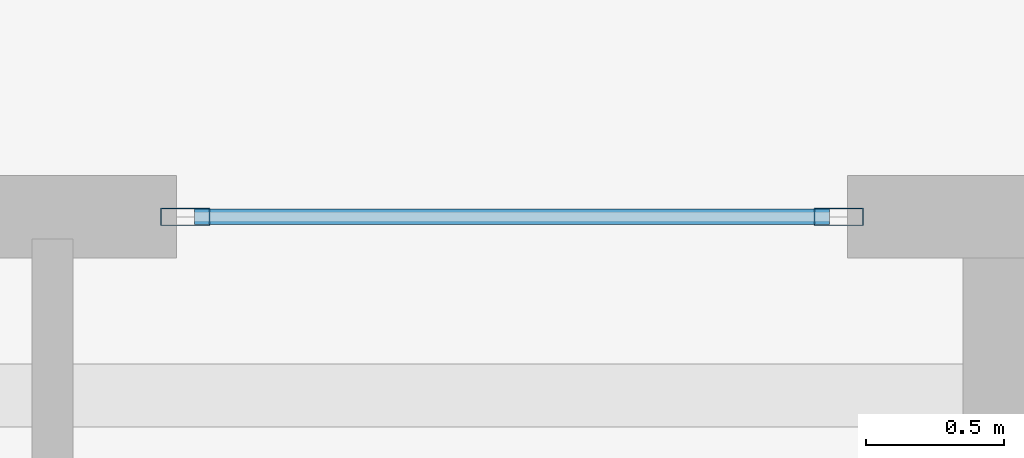
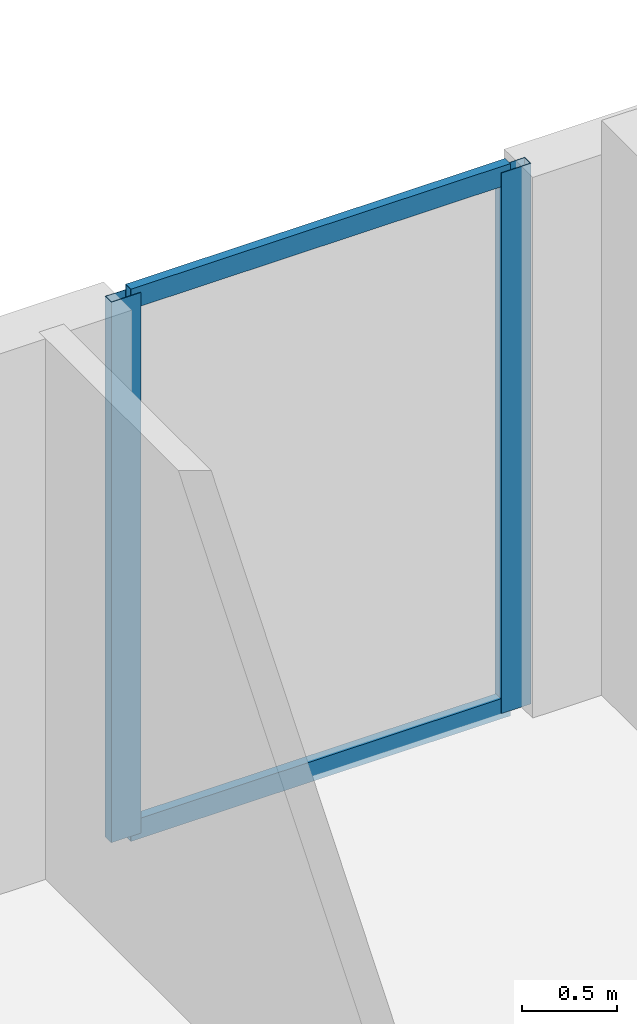
# One storey, part 17 of 25: 4 members, 1 element without a shape of its own.
"""IFC4 building model written with IfcOpenShell, lengths in metres."""

from ifc_helpers import new_model, si_unit, direction, frame, origin, origin_2d, place, context, subcontext, project, spatial, hollow_rectangle, extrude, material, layer, layer_set, material_profile, profile_set, type_object, element, aggregate, save


model = new_model("IFC4")

# Units and contexts
model_context = context("Model", 3, precision=1e-05, world=origin(), true_north=direction((0.0, 1.0)))
body_context = subcontext(model_context, "Body", "Model", "MODEL_VIEW")
ifc_project = project(units=[si_unit("LENGTHUNIT", "METRE"), si_unit("AREAUNIT", "SQUARE_METRE"), si_unit("VOLUMEUNIT", "CUBIC_METRE"), si_unit("PLANEANGLEUNIT", "RADIAN"), si_unit("MASSUNIT", "GRAM", prefix="KILO")], contexts=[model_context])

# Site, building, storey
site_placement = place(None, origin())
site = spatial("IfcSite", under=ifc_project, at=site_placement, CompositionType="ELEMENT")
building_placement = place(site_placement, origin())
building = spatial("IfcBuilding", under=site, at=building_placement, Name="Zuhayl Quay Hotel", CompositionType="ELEMENT")
storey_placement = place(building_placement, frame((0.0, 0.0, 258.14990234375)))
storey = spatial("IfcBuildingStorey", under=building, at=storey_placement, Name="L65", CompositionType="ELEMENT", Elevation=258.14990234375)

# Curtain wall, members
ifc_material_1 = material(Name="Anodised Aluminium 6063-T6", Category="aluminium")
ifc_layer = layer(ifc_material_1, 0.169921875, Name="Anodised Aluminium 6063-T6", Category="aluminium")
ifc_layer_set = layer_set([ifc_layer], Name="Anodised Aluminium 6063-T6")
curtain_wall_type = type_object("IfcCurtainWallType", Name="CW_SYS_Z4", PredefinedType="USERDEFINED", material=ifc_layer_set)
curtain_wall_placement = place(storey_placement, origin())
curtain_wall = element("IfcCurtainWall", 1, at=curtain_wall_placement, inside=storey, type_object=curtain_wall_type, Name="L65 Curtain Wall ENV_L65_N_CW4", ObjectType="UNITISED CURTAIN WALL", PredefinedType="USERDEFINED")
ifc_material_2 = material(Name="Black-anodised aluminium 6063-T6", Category="aluminium")
ifc_material_profile_1 = material_profile(ifc_material_2, hollow_rectangle(XDim=0.06494140625, YDim=0.179931640625, WallThickness=0.00341796875, at=origin_2d()), Name="ALU180X65")
ifc_profile_set_1 = profile_set([ifc_material_profile_1], Name="Black-anodised aluminium 6063-T6")
member_type_1 = type_object("IfcMemberType", Name="MB_CW_MUL_180", PredefinedType="MULLION", material=ifc_profile_set_1)
member_1_placement = place(storey_placement, frame((10.472412109375, 39.0, 0.0), z_axis=(0.0, 0.0, 1.0), x_axis=(0.0, 1.0, 0.0)))
member_1 = element("IfcMember", 2, at=member_1_placement, type_object=member_type_1, Name="CW-Z4 mullion 1", PredefinedType="MULLION", context=body_context, shape_type="SweptSolid", body=[
    extrude(hollow_rectangle(XDim=0.06494140625, YDim=0.179931640625, WallThickness=0.00341796875, at=origin_2d()), origin(), (0.0, 0.0, 1.0), 3.47998046875),
])
member_2_placement = place(storey_placement, frame((12.847412109375, 39.0, 0.0), z_axis=(0.0, 0.0, 1.0), x_axis=(0.0, 1.0, 0.0)))
member_2 = element("IfcMember", 3, at=member_2_placement, type_object=member_type_1, Name="CW-Z4 mullion 2", PredefinedType="MULLION", context=body_context, shape_type="SweptSolid", body=[
    extrude(hollow_rectangle(XDim=0.06494140625, YDim=0.179931640625, WallThickness=0.00341796875, at=origin_2d()), origin(), (0.0, 0.0, 1.0), 3.47998046875),
])
ifc_material_profile_2 = material_profile(ifc_material_2, hollow_rectangle(XDim=0.054931640625, YDim=0.1298828125, WallThickness=0.0029296875, at=origin_2d()), Name="ALU130X55")
ifc_profile_set_2 = profile_set([ifc_material_profile_2], Name="Black-anodised aluminium 6063-T6")
member_type_2 = type_object("IfcMemberType", Name="MB_CW_TRN_130", PredefinedType="USERDEFINED", material=ifc_profile_set_2)
member_3_placement = place(storey_placement, frame((10.5048828125, 39.0, 0.027587890625), z_axis=(1.0, 0.0, 0.0), x_axis=(0.0, 1.0, 0.0)))
member_3 = element("IfcMember", 4, at=member_3_placement, type_object=member_type_2, Name="CW-Z4 transom 1.1", ObjectType="TRANSOM", PredefinedType="USERDEFINED", context=body_context, shape_type="SweptSolid", body=[
    extrude(hollow_rectangle(XDim=0.054931640625, YDim=0.1298828125, WallThickness=0.0029296875, at=origin_2d()), origin(), (0.0, 0.0, 1.0), 2.31005859375),
])
member_4_placement = place(storey_placement, frame((10.5048828125, 39.0, 3.45263671875), z_axis=(1.0, 0.0, 0.0), x_axis=(0.0, 1.0, 0.0)))
member_4 = element("IfcMember", 5, at=member_4_placement, type_object=member_type_2, Name="CW-Z4 transom 1.2", ObjectType="TRANSOM", PredefinedType="USERDEFINED", context=body_context, shape_type="SweptSolid", body=[
    extrude(hollow_rectangle(XDim=0.054931640625, YDim=0.1298828125, WallThickness=0.0029296875, at=origin_2d()), origin(), (0.0, 0.0, 1.0), 2.31005859375),
])
aggregate(curtain_wall, [member_1, member_2, member_3, member_4])

save(model, "model.ifc")
